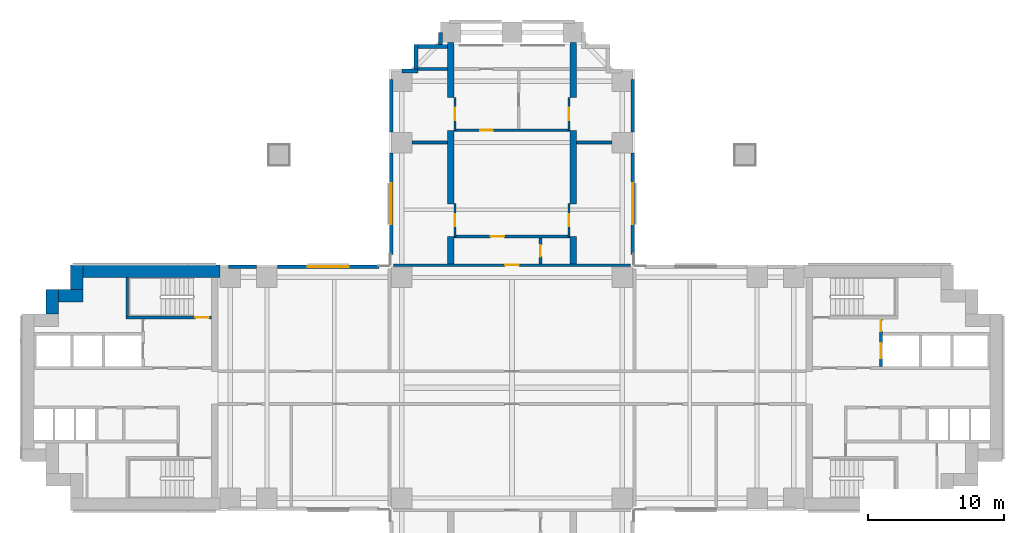
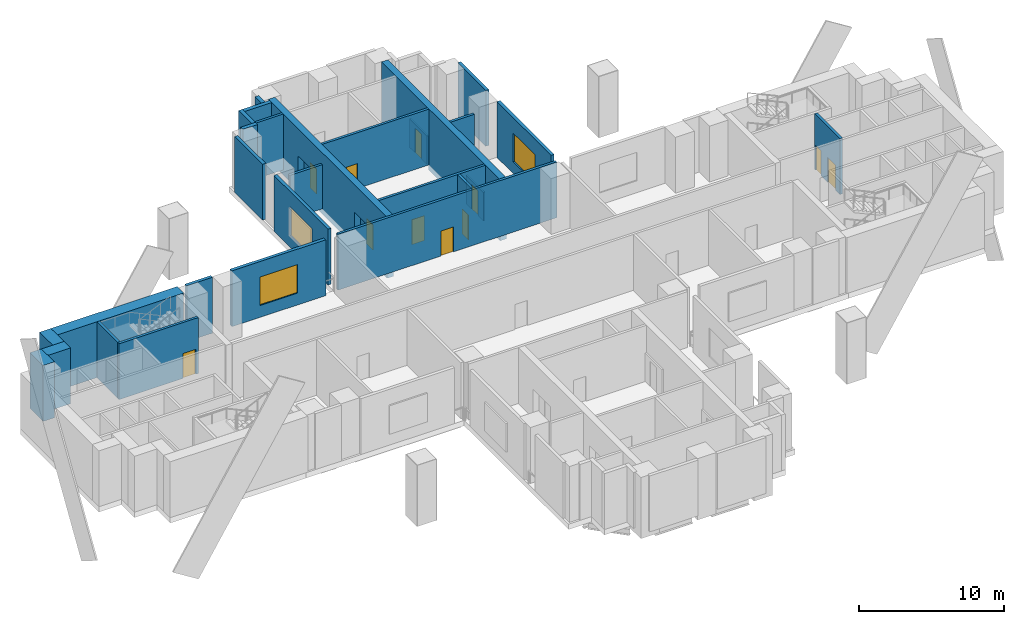
# One storey, part 5 of 10: 30 walls, 11 doors, 3 windows, 14 openings.
"""IFC4 building model written with IfcOpenShell, lengths in metres."""

from ifc_helpers import new_model, si_unit, direction, frame, frame_2d, origin, place, context, subcontext, project, spatial, polyline, rectangle, outline, extrude, material, layer, layer_set, material_profile, profile_set, type_object, element, fill, save


model = new_model("IFC4")

# Units and contexts
model_context = context("Model", 3, precision=1e-05, world=origin(), true_north=direction((0.0, 1.0)))
body_context = subcontext(model_context, "Body", "Model", "MODEL_VIEW")
ifc_project = project(units=[si_unit("LENGTHUNIT", "METRE"), si_unit("AREAUNIT", "SQUARE_METRE"), si_unit("VOLUMEUNIT", "CUBIC_METRE"), si_unit("PLANEANGLEUNIT", "RADIAN"), si_unit("MASSUNIT", "GRAM", prefix="KILO")], contexts=[model_context])

# Site, building, storey
site_placement = place(None, origin())
site = spatial("IfcSite", under=ifc_project, at=site_placement, CompositionType="ELEMENT")
building_placement = place(site_placement, origin())
building = spatial("IfcBuilding", under=site, at=building_placement, Name="Perihelion Cross Residences", CompositionType="ELEMENT")
storey_placement = place(building_placement, frame((0.0, 0.0, 27.0)))
storey = spatial("IfcBuildingStorey", under=building, at=storey_placement, Name="L03", CompositionType="ELEMENT", Elevation=27.0)

# Wall, opening, door
ifc_material_1 = material(Name="Plasterboard partition")
ifc_layer_1 = layer(ifc_material_1, 0.199951171875)
ifc_layer_set_1 = layer_set([ifc_layer_1], Name="Apartment riser wall 200")
wall_type_1 = type_object("IfcWallType", Name="Apartment riser wall 200", PredefinedType="PARTITIONING", material=ifc_layer_set_1)
wall_1_placement = place(storey_placement, frame((-8.699951171875, 9.0, 0.0), z_axis=(0.0, 0.0, 1.0), x_axis=(1.0, 0.0, 0.0)))
wall_1 = element("IfcWall", 1, at=wall_1_placement, inside=storey, type_object=wall_type_1, Name="Partition L03 W005", PredefinedType="PARTITIONING", context=body_context, shape_type="SweptSolid", body=[
    extrude(rectangle(XDim=17.39990234375, YDim=0.199951171875, at=frame_2d((8.699951171875, 0.0))), origin(), (0.0, 0.0, 1.0), 4.699951171875),
])
opening_1_placement = place(wall_1_placement, frame((8.199951171875, 0.0, 0.0)))
opening_1 = element("IfcOpeningElement", 2, at=opening_1_placement, cuts=wall_1, Name="Opening L03.A09", PredefinedType="OPENING", context=body_context, shape_type="SweptSolid", body=[
    extrude(rectangle(XDim=1.0, YDim=2.10009765625, at=frame_2d((0.5, 1.050048828125))), frame((0.0, 0.10986328125, 0.0), z_axis=(0.0, -1.0, 0.0), x_axis=(1.0, 0.0, 0.0)), (0.0, 0.0, 1.0), 0.219970703125),
])
ifc_material_2 = material(Name="Steel door leaf", Category="steel")
door_type_1 = type_object("IfcDoorType", Name="Plant floor door 1000 x 2100", OperationType="SINGLE_SWING_LEFT", PredefinedType="DOOR", material=ifc_material_2)
door_1_placement = place(opening_1_placement, origin())
door_1 = element("IfcDoor", 3, at=door_1_placement, inside=storey, type_object=door_type_1, Name="Door L03.A09", OperationType="SINGLE_SWING_LEFT", OverallHeight=2.10009765625, OverallWidth=1.0, PredefinedType="DOOR", context=body_context, shape_type="SweptSolid", body=[
    extrude(rectangle(XDim=1.0, YDim=2.10009765625, at=frame_2d((0.5, 1.050048828125))), frame((0.0, 0.02490234375, 0.0), z_axis=(0.0, -1.0, 0.0), x_axis=(1.0, 0.0, 0.0)), (0.0, 0.0, 1.0), 0.050048828125),
])
fill(opening_1, door_1)

wall_2_placement = place(storey_placement, frame((2.10009765625, 11.0, 0.0), z_axis=(0.0, 0.0, 1.0), x_axis=(0.0, -1.0, 0.0)))
wall_2 = element("IfcWall", 4, at=wall_2_placement, inside=storey, type_object=wall_type_1, Name="Partition L03 W011", PredefinedType="PARTITIONING", context=body_context, shape_type="SweptSolid", body=[
    extrude(rectangle(XDim=1.89990234375, YDim=0.199951171875, at=frame_2d((0.949951171875, 0.0))), origin(), (0.0, 0.0, 1.0), 4.699951171875),
])
opening_2_placement = place(wall_2_placement, frame((0.52490234375, 0.0, 0.0)))
opening_2 = element("IfcOpeningElement", 5, at=opening_2_placement, cuts=wall_2, Name="Opening L03.A10", PredefinedType="OPENING", context=body_context, shape_type="SweptSolid", body=[
    extrude(rectangle(XDim=0.85009765625, YDim=2.10009765625, at=frame_2d((0.425048828125, 1.050048828125))), frame((0.0, 0.10986328125, 0.0), z_axis=(0.0, -1.0, 0.0), x_axis=(1.0, 0.0, 0.0)), (0.0, 0.0, 1.0), 0.219970703125),
])
ifc_material_3 = material(Name="Timber door leaf", Category="wood")
door_type_2 = type_object("IfcDoorType", Name="Interior bathroom door 850 x 2100", OperationType="SINGLE_SWING_LEFT", PredefinedType="DOOR", material=ifc_material_3)
door_2_placement = place(opening_2_placement, origin())
door_2 = element("IfcDoor", 6, at=door_2_placement, inside=storey, type_object=door_type_2, Name="Door L03.A10", OperationType="SINGLE_SWING_RIGHT", OverallHeight=2.10009765625, OverallWidth=0.85009765625, PredefinedType="DOOR", context=body_context, shape_type="SweptSolid", body=[
    extrude(rectangle(XDim=0.85009765625, YDim=2.10009765625, at=frame_2d((0.425048828125, 1.050048828125))), frame((0.0, 0.02490234375, 0.0), z_axis=(0.0, -1.0, 0.0), x_axis=(1.0, 0.0, 0.0)), (0.0, 0.0, 1.0), 0.050048828125),
])
fill(opening_2, door_2)

wall_3_placement = place(storey_placement, frame((-4.25, 11.10009765625, 0.0), z_axis=(0.0, 0.0, 1.0), x_axis=(1.0, 0.0, 0.0)))
wall_3 = element("IfcWall", 7, at=wall_3_placement, inside=storey, type_object=wall_type_1, Name="Partition L03 W012", PredefinedType="PARTITIONING", context=body_context, shape_type="SweptSolid", body=[
    extrude(rectangle(XDim=8.5, YDim=0.199951171875, at=frame_2d((4.25, 0.0))), origin(), (0.0, 0.0, 1.0), 4.699951171875),
])
opening_3_placement = place(wall_3_placement, frame((2.675048828125, 0.0, 0.0)))
opening_3 = element("IfcOpeningElement", 8, at=opening_3_placement, cuts=wall_3, Name="Opening L03.A11", PredefinedType="OPENING", context=body_context, shape_type="SweptSolid", body=[
    extrude(rectangle(XDim=1.0, YDim=2.10009765625, at=frame_2d((0.5, 1.050048828125))), frame((0.0, 0.10986328125, 0.0), z_axis=(0.0, -1.0, 0.0), x_axis=(1.0, 0.0, 0.0)), (0.0, 0.0, 1.0), 0.219970703125),
])
door_3_placement = place(opening_3_placement, origin())
door_3 = element("IfcDoor", 9, at=door_3_placement, inside=storey, type_object=door_type_1, Name="Door L03.A11", OperationType="SINGLE_SWING_RIGHT", OverallHeight=2.10009765625, OverallWidth=1.0, PredefinedType="DOOR", context=body_context, shape_type="SweptSolid", body=[
    extrude(rectangle(XDim=1.0, YDim=2.10009765625, at=frame_2d((0.5, 1.050048828125))), frame((0.0, 0.02490234375, 0.0), z_axis=(0.0, -1.0, 0.0), x_axis=(1.0, 0.0, 0.0)), (0.0, 0.0, 1.0), 0.050048828125),
])
fill(opening_3, door_3)

wall_4_placement = place(storey_placement, frame((-4.25, 18.89990234375, 0.0), z_axis=(0.0, 0.0, 1.0), x_axis=(1.0, 0.0, 0.0)))
wall_4 = element("IfcWall", 10, at=wall_4_placement, inside=storey, type_object=wall_type_1, Name="Partition L03 W013", PredefinedType="PARTITIONING", context=body_context, shape_type="SweptSolid", body=[
    extrude(rectangle(XDim=8.5, YDim=0.199951171875, at=frame_2d((4.25, 0.0))), origin(), (0.0, 0.0, 1.0), 4.699951171875),
])
opening_4_placement = place(wall_4_placement, frame((1.925048828125, 0.0, 0.0)))
opening_4 = element("IfcOpeningElement", 11, at=opening_4_placement, cuts=wall_4, Name="Opening L03.A12", PredefinedType="OPENING", context=body_context, shape_type="SweptSolid", body=[
    extrude(rectangle(XDim=0.89990234375, YDim=2.10009765625, at=frame_2d((0.449951171875, 1.050048828125))), frame((0.0, 0.10986328125, 0.0), z_axis=(0.0, -1.0, 0.0), x_axis=(1.0, 0.0, 0.0)), (0.0, 0.0, 1.0), 0.219970703125),
])
ifc_material_4 = material(Name="Timber door leaf", Category="wood")
door_type_3 = type_object("IfcDoorType", Name="Interior room door 900 x 2100", OperationType="SINGLE_SWING_LEFT", PredefinedType="DOOR", material=ifc_material_4)
door_4_placement = place(opening_4_placement, origin())
door_4 = element("IfcDoor", 12, at=door_4_placement, inside=storey, type_object=door_type_3, Name="Door L03.A12", OperationType="SINGLE_SWING_LEFT", OverallHeight=2.10009765625, OverallWidth=0.89990234375, PredefinedType="DOOR", context=body_context, shape_type="SweptSolid", body=[
    extrude(rectangle(XDim=0.89990234375, YDim=2.10009765625, at=frame_2d((0.449951171875, 1.050048828125))), frame((0.0, 0.02490234375, 0.0), z_axis=(0.0, -1.0, 0.0), x_axis=(1.0, 0.0, 0.0)), (0.0, 0.0, 1.0), 0.050048828125),
])
fill(opening_4, door_4)

# Walls
for number, where, z_axis, x_axis, name in (
    (13, (4.75, 18.0, 0.0), (0.0, 0.0, 1.0), (1.0, 0.0, 0.0), "Partition L03 W016"),
    (14, (-7.35009765625, 18.0, 0.0), (0.0, 0.0, 1.0), (1.0, 0.0, 0.0), "Partition L03 W018"),
):
    element("IfcWall", number, at=place(storey_placement, frame(where, z_axis=z_axis, x_axis=x_axis)), inside=storey, type_object=wall_type_1, Name=name, PredefinedType="PARTITIONING", context=body_context, shape_type="SweptSolid", body=[
        extrude(rectangle(XDim=2.60009765625, YDim=0.199951171875, at=frame_2d((1.300048828125, 0.0))), origin(), (0.0, 0.0, 1.0), 3.719970703125),
    ])
wall_5_placement = place(storey_placement, frame((-6.89990234375, 23.39990234375, 0.0), z_axis=(0.0, 0.0, 1.0), x_axis=(1.0, 0.0, 0.0)))
element("IfcWall", 15, at=wall_5_placement, inside=storey, type_object=wall_type_1, Name="Partition L03 W019", PredefinedType="PARTITIONING", context=body_context, shape_type="SweptSolid", body=[
    extrude(rectangle(XDim=2.14990234375, YDim=0.199951171875, at=frame_2d((1.074951171875, 0.0))), origin(), (0.0, 0.0, 1.0), 4.699951171875),
])
ifc_material_5 = material(Name="Concrete C30/37, bronze-clad", Category="concrete")
ifc_layer_2 = layer(ifc_material_5, 0.300048828125)
ifc_layer_set_2 = layer_set([ifc_layer_2], Name="Bronze-clad serration wall 300")
wall_type_2 = type_object("IfcWallType", Name="Bronze-clad serration wall 300", PredefinedType="SOLIDWALL", material=ifc_layer_set_2)
wall_6_placement = place(storey_placement, frame((-5.25, 26.080078125, 0.0), z_axis=(0.0, 0.0, 1.0), x_axis=(0.0, -1.0, 0.0)))
element("IfcWall", 16, at=wall_6_placement, inside=storey, type_object=wall_type_2, Name="Wall SR1 L03 north corner north-west 1", PredefinedType="SOLIDWALL", context=body_context, shape_type="SweptSolid", body=[
    extrude(rectangle(XDim=0.880126953125, YDim=0.300048828125, at=frame_2d((0.43994140625, 0.0))), origin(), (0.0, 0.0, 1.0), 4.699951171875),
])
wall_7_placement = place(storey_placement, frame((-4.75, 25.050048828125, 0.0), z_axis=(0.0, 0.0, 1.0), x_axis=(-1.0, 0.0, 0.0)))
element("IfcWall", 17, at=wall_7_placement, inside=storey, type_object=wall_type_2, Name="Wall SR1 L03 north corner north-west 2", PredefinedType="SOLIDWALL", context=body_context, shape_type="SweptSolid", body=[
    extrude(rectangle(XDim=2.14990234375, YDim=0.300048828125, at=frame_2d((1.074951171875, 0.0))), origin(), (0.0, 0.0, 1.0), 4.699951171875),
])
wall_8_placement = place(storey_placement, frame((-7.050048828125, 25.199951171875, 0.0), z_axis=(0.0, 0.0, 1.0), x_axis=(0.0, -1.0, 0.0)))
element("IfcWall", 18, at=wall_8_placement, inside=storey, type_object=wall_type_2, Name="Wall SR1 L03 north corner north-west 3", PredefinedType="SOLIDWALL", context=body_context, shape_type="SweptSolid", body=[
    extrude(rectangle(XDim=1.800048828125, YDim=0.300048828125, at=frame_2d((0.89990234375, 0.0))), origin(), (0.0, 0.0, 1.0), 4.699951171875),
])
wall_9_placement = place(storey_placement, frame((-6.89990234375, 23.25, 0.0), z_axis=(0.0, 0.0, 1.0), x_axis=(-1.0, 0.0, 0.0)))
element("IfcWall", 19, at=wall_9_placement, inside=storey, type_object=wall_type_2, Name="Wall SR1 L03 north corner north-west 4", PredefinedType="SOLIDWALL", context=body_context, shape_type="SweptSolid", body=[
    extrude(rectangle(XDim=1.18017578125, YDim=0.300048828125, at=frame_2d((0.590087890625, 0.0))), origin(), (0.0, 0.0, 1.0), 4.699951171875),
])
ifc_material_6 = material(Name="Concrete C60/75", Category="concrete")
ifc_layer_3 = layer(ifc_material_6, 0.89990234375)
ifc_layer_set_3 = layer_set([ifc_layer_3], Name="Core wall, outer 900")
wall_type_3 = type_object("IfcWallType", Name="Core wall, outer 900", PredefinedType="SHEAR", material=ifc_layer_set_3)
for number, where, z_axis, x_axis, name in (
    (20, (-33.75, 5.39990234375, 0.0), (0.0, 0.0, 1.0), (0.0, 1.0, 0.0), "West core core wall, outer"),
    (21, (-33.300048828125, 6.75, 0.0), (0.0, 0.0, 1.0), (1.0, 0.0, 0.0), "West core core wall, outer"),
    (22, (-31.949951171875, 7.199951171875, 0.0), (0.0, 0.0, 1.0), (0.0, 1.0, 0.0), "West core core wall, outer"),
):
    element("IfcWall", number, at=place(storey_placement, frame(where, z_axis=z_axis, x_axis=x_axis)), inside=storey, type_object=wall_type_3, Name=name, PredefinedType="SHEAR", context=body_context, shape_type="SweptSolid", body=[
        extrude(rectangle(XDim=1.800048828125, YDim=0.89990234375, at=frame_2d((0.89990234375, 0.0))), origin(), (0.0, 0.0, 1.0), 4.699951171875),
    ])
wall_10_placement = place(storey_placement, frame((-31.5, 8.550048828125, 0.0), z_axis=(0.0, 0.0, 1.0), x_axis=(1.0, 0.0, 0.0)))
element("IfcWall", 23, at=wall_10_placement, inside=storey, type_object=wall_type_3, Name="West core core wall, outer", PredefinedType="SHEAR", context=body_context, shape_type="SweptSolid", body=[
    extrude(rectangle(XDim=10.050048828125, YDim=0.89990234375, at=frame_2d((5.02490234375, 0.0))), origin(), (0.0, 0.0, 1.0), 4.699951171875),
])

# Wall, opening, door
ifc_material_7 = material(Name="Plasterboard partition")
ifc_layer_4 = layer(ifc_material_7, 0.1201171875)
ifc_layer_set_4 = layer_set([ifc_layer_4], Name="Infill panel 120")
wall_type_4 = type_object("IfcWallType", Name="Infill panel 120", PredefinedType="PARTITIONING", material=ifc_layer_set_4)
wall_11_placement = place(storey_placement, frame((4.18994140625, 11.10009765625, 0.0), z_axis=(0.0, 0.0, 1.0), x_axis=(0.0, 1.0, 0.0)))
wall_11 = element("IfcWall", 24, at=wall_11_placement, inside=storey, type_object=wall_type_4, Name="Partition L03 WI01", PredefinedType="PARTITIONING", context=body_context, shape_type="SweptSolid", body=[
    extrude(rectangle(XDim=2.39990234375, YDim=0.1201171875, at=frame_2d((1.199951171875, 0.0))), origin(), (0.0, 0.0, 1.0), 2.39990234375),
])
opening_5_placement = place(wall_11_placement, frame((0.75, 0.0, 0.0)))
opening_5 = element("IfcOpeningElement", 25, at=opening_5_placement, cuts=wall_11, Name="Opening L03.A21", PredefinedType="OPENING", context=body_context, shape_type="SweptSolid", body=[
    extrude(rectangle(XDim=0.89990234375, YDim=2.10009765625, at=frame_2d((0.449951171875, 1.050048828125))), frame((0.0, 0.070068359375, 0.0), z_axis=(0.0, -1.0, 0.0), x_axis=(1.0, 0.0, 0.0)), (0.0, 0.0, 1.0), 0.14013671875),
])
door_5_placement = place(opening_5_placement, origin())
door_5 = element("IfcDoor", 26, at=door_5_placement, inside=storey, type_object=door_type_3, Name="Door L03.A21", OperationType="SINGLE_SWING_LEFT", OverallHeight=2.10009765625, OverallWidth=0.89990234375, PredefinedType="DOOR", context=body_context, shape_type="SweptSolid", body=[
    extrude(rectangle(XDim=0.89990234375, YDim=2.10009765625, at=frame_2d((0.449951171875, 1.050048828125))), frame((0.0, 0.02490234375, 0.0), z_axis=(0.0, -1.0, 0.0), x_axis=(1.0, 0.0, 0.0)), (0.0, 0.0, 1.0), 0.050048828125),
])
fill(opening_5, door_5)

wall_12_placement = place(storey_placement, frame((4.18994140625, 18.89990234375, 0.0), z_axis=(0.0, 0.0, 1.0), x_axis=(0.0, 1.0, 0.0)))
wall_12 = element("IfcWall", 27, at=wall_12_placement, inside=storey, type_object=wall_type_4, Name="Partition L03 WI02", PredefinedType="PARTITIONING", context=body_context, shape_type="SweptSolid", body=[
    extrude(rectangle(XDim=2.400146484375, YDim=0.1201171875, at=frame_2d((1.2001953125, 0.0))), origin(), (0.0, 0.0, 1.0), 2.39990234375),
])
opening_6_placement = place(wall_12_placement, frame((0.75, 0.0, 0.0)))
opening_6 = element("IfcOpeningElement", 28, at=opening_6_placement, cuts=wall_12, Name="Opening L03.A22", PredefinedType="OPENING", context=body_context, shape_type="SweptSolid", body=[
    extrude(rectangle(XDim=0.89990234375, YDim=2.10009765625, at=frame_2d((0.449951171875, 1.050048828125))), frame((0.0, 0.070068359375, 0.0), z_axis=(0.0, -1.0, 0.0), x_axis=(1.0, 0.0, 0.0)), (0.0, 0.0, 1.0), 0.14013671875),
])
door_6_placement = place(opening_6_placement, origin())
door_6 = element("IfcDoor", 29, at=door_6_placement, inside=storey, type_object=door_type_3, Name="Door L03.A22", OperationType="SINGLE_SWING_RIGHT", OverallHeight=2.10009765625, OverallWidth=0.89990234375, PredefinedType="DOOR", context=body_context, shape_type="SweptSolid", body=[
    extrude(rectangle(XDim=0.89990234375, YDim=2.10009765625, at=frame_2d((0.449951171875, 1.050048828125))), frame((0.0, 0.02490234375, 0.0), z_axis=(0.0, -1.0, 0.0), x_axis=(1.0, 0.0, 0.0)), (0.0, 0.0, 1.0), 0.050048828125),
])
fill(opening_6, door_6)

wall_13_placement = place(storey_placement, frame((-4.18994140625, 11.10009765625, 0.0), z_axis=(0.0, 0.0, 1.0), x_axis=(0.0, 1.0, 0.0)))
wall_13 = element("IfcWall", 30, at=wall_13_placement, inside=storey, type_object=wall_type_4, Name="Partition L03 WI03", PredefinedType="PARTITIONING", context=body_context, shape_type="SweptSolid", body=[
    extrude(rectangle(XDim=2.39990234375, YDim=0.1201171875, at=frame_2d((1.199951171875, 0.0))), origin(), (0.0, 0.0, 1.0), 2.39990234375),
])
opening_7_placement = place(wall_13_placement, frame((0.75, 0.0, 0.0)))
opening_7 = element("IfcOpeningElement", 31, at=opening_7_placement, cuts=wall_13, Name="Opening L03.A23", PredefinedType="OPENING", context=body_context, shape_type="SweptSolid", body=[
    extrude(rectangle(XDim=0.89990234375, YDim=2.10009765625, at=frame_2d((0.449951171875, 1.050048828125))), frame((0.0, 0.070068359375, 0.0), z_axis=(0.0, -1.0, 0.0), x_axis=(1.0, 0.0, 0.0)), (0.0, 0.0, 1.0), 0.14013671875),
])
door_7_placement = place(opening_7_placement, origin())
door_7 = element("IfcDoor", 32, at=door_7_placement, inside=storey, type_object=door_type_3, Name="Door L03.A23", OperationType="SINGLE_SWING_RIGHT", OverallHeight=2.10009765625, OverallWidth=0.89990234375, PredefinedType="DOOR", context=body_context, shape_type="SweptSolid", body=[
    extrude(rectangle(XDim=0.89990234375, YDim=2.10009765625, at=frame_2d((0.449951171875, 1.050048828125))), frame((0.0, 0.02490234375, 0.0), z_axis=(0.0, -1.0, 0.0), x_axis=(1.0, 0.0, 0.0)), (0.0, 0.0, 1.0), 0.050048828125),
])
fill(opening_7, door_7)

wall_14_placement = place(storey_placement, frame((-4.18994140625, 18.89990234375, 0.0), z_axis=(0.0, 0.0, 1.0), x_axis=(0.0, 1.0, 0.0)))
wall_14 = element("IfcWall", 33, at=wall_14_placement, inside=storey, type_object=wall_type_4, Name="Partition L03 WI04", PredefinedType="PARTITIONING", context=body_context, shape_type="SweptSolid", body=[
    extrude(rectangle(XDim=2.400146484375, YDim=0.1201171875, at=frame_2d((1.2001953125, 0.0))), origin(), (0.0, 0.0, 1.0), 2.39990234375),
])
opening_8_placement = place(wall_14_placement, frame((0.75, 0.0, 0.0)))
opening_8 = element("IfcOpeningElement", 34, at=opening_8_placement, cuts=wall_14, Name="Opening L03.A24", PredefinedType="OPENING", context=body_context, shape_type="SweptSolid", body=[
    extrude(rectangle(XDim=0.89990234375, YDim=2.10009765625, at=frame_2d((0.449951171875, 1.050048828125))), frame((0.0, 0.070068359375, 0.0), z_axis=(0.0, -1.0, 0.0), x_axis=(1.0, 0.0, 0.0)), (0.0, 0.0, 1.0), 0.14013671875),
])
door_8_placement = place(opening_8_placement, origin())
door_8 = element("IfcDoor", 35, at=door_8_placement, inside=storey, type_object=door_type_3, Name="Door L03.A24", OperationType="SINGLE_SWING_LEFT", OverallHeight=2.10009765625, OverallWidth=0.89990234375, PredefinedType="DOOR", context=body_context, shape_type="SweptSolid", body=[
    extrude(rectangle(XDim=0.89990234375, YDim=2.10009765625, at=frame_2d((0.449951171875, 1.050048828125))), frame((0.0, 0.02490234375, 0.0), z_axis=(0.0, -1.0, 0.0), x_axis=(1.0, 0.0, 0.0)), (0.0, 0.0, 1.0), 0.050048828125),
])
fill(opening_8, door_8)

# Wall, opening, window
ifc_material_8 = material(Name="Concrete C30/37, bronze-clad", Category="concrete")
ifc_layer_5 = layer(ifc_material_8, 0.25)
ifc_layer_set_5 = layer_set([ifc_layer_5], Name="Louvre bay wall 250")
wall_type_5 = type_object("IfcWallType", Name="Louvre bay wall 250", PredefinedType="SOLIDWALL", material=ifc_layer_set_5)
wall_15_placement = place(storey_placement, frame((8.875, 9.77001953125, 0.0), z_axis=(0.0, 0.0, 1.0), x_axis=(0.0, 1.0, 0.0)))
wall_15 = element("IfcWall", 36, at=wall_15_placement, inside=storey, type_object=wall_type_5, Name="Wall FW2 L03 north side east bay 1 louvre", PredefinedType="SOLIDWALL", context=body_context, shape_type="SweptSolid", body=[
    extrude(rectangle(XDim=7.4599609375, YDim=0.25, at=frame_2d((3.72998046875, 0.0))), origin(), (0.0, 0.0, 1.0), 4.699951171875),
])
opening_9_placement = place(wall_15_placement, frame((2.22998046875, 0.0, 1.0)))
opening_9 = element("IfcOpeningElement", 37, at=opening_9_placement, cuts=wall_15, Name="Opening L03.W02", PredefinedType="OPENING", context=body_context, shape_type="SweptSolid", body=[
    extrude(rectangle(XDim=3.0, YDim=2.39990234375, at=frame_2d((1.5, 1.199951171875))), frame((0.0, 0.135009765625, 0.0), z_axis=(0.0, -1.0, 0.0), x_axis=(1.0, 0.0, 0.0)), (0.0, 0.0, 1.0), 0.27001953125),
])
ifc_material_9 = material(Name="Bronze anodised aluminium, louvred", Category="aluminium")
window_type = type_object("IfcWindowType", Name="Louvred vent 3000 x 2400", PartitioningType="SINGLE_PANEL", PredefinedType="WINDOW", material=ifc_material_9)
window_1_placement = place(opening_9_placement, origin())
window_1 = element("IfcWindow", 38, at=window_1_placement, inside=storey, type_object=window_type, Name="Window L03.W02 north side east bay 1 vent", OverallHeight=2.39990234375, OverallWidth=3.0, PartitioningType="SINGLE_PANEL", PredefinedType="WINDOW", context=body_context, shape_type="SweptSolid", body=[
    extrude(rectangle(XDim=3.0, YDim=2.39990234375, at=frame_2d((1.5, 1.199951171875))), frame((0.0, 0.030029296875, 0.0), z_axis=(0.0, -1.0, 0.0), x_axis=(1.0, 0.0, 0.0)), (0.0, 0.0, 1.0), 0.06005859375),
])
fill(opening_9, window_1)

# Walls
for number, where, z_axis, x_axis, name in (
    (39, (8.875, 18.77001953125, 0.0), (0.0, 0.0, 1.0), (0.0, 1.0, 0.0), "Wall FW2 L03 north side east bay 2 louvre"),
    (40, (-8.875, 22.6298828125, 0.0), (0.0, 0.0, 1.0), (0.0, -1.0, 0.0), "Wall FW2 L03 north side west bay 1 louvre"),
):
    element("IfcWall", number, at=place(storey_placement, frame(where, z_axis=z_axis, x_axis=x_axis)), inside=storey, type_object=wall_type_5, Name=name, PredefinedType="SOLIDWALL", context=body_context, shape_type="SweptSolid", body=[
        extrude(rectangle(XDim=3.85986328125, YDim=0.25, at=frame_2d((1.929931640625, 0.0))), origin(), (0.0, 0.0, 1.0), 4.699951171875),
    ])

# Wall, opening, window
wall_16_placement = place(storey_placement, frame((-8.875, 17.22998046875, 0.0), z_axis=(0.0, 0.0, 1.0), x_axis=(0.0, -1.0, 0.0)))
wall_16 = element("IfcWall", 41, at=wall_16_placement, inside=storey, type_object=wall_type_5, Name="Wall FW2 L03 north side west bay 2 louvre", PredefinedType="SOLIDWALL", context=body_context, shape_type="SweptSolid", body=[
    extrude(rectangle(XDim=7.4599609375, YDim=0.25, at=frame_2d((3.72998046875, 0.0))), origin(), (0.0, 0.0, 1.0), 4.699951171875),
])
opening_10_placement = place(wall_16_placement, frame((2.22998046875, 0.0, 1.0)))
opening_10 = element("IfcOpeningElement", 42, at=opening_10_placement, cuts=wall_16, Name="Opening L03.W03", PredefinedType="OPENING", context=body_context, shape_type="SweptSolid", body=[
    extrude(rectangle(XDim=3.0, YDim=2.39990234375, at=frame_2d((1.5, 1.199951171875))), frame((0.0, 0.135009765625, 0.0), z_axis=(0.0, -1.0, 0.0), x_axis=(1.0, 0.0, 0.0)), (0.0, 0.0, 1.0), 0.27001953125),
])
window_2_placement = place(opening_10_placement, origin())
window_2 = element("IfcWindow", 43, at=window_2_placement, inside=storey, type_object=window_type, Name="Window L03.W03 north side west bay 2 vent", OverallHeight=2.39990234375, OverallWidth=3.0, PartitioningType="SINGLE_PANEL", PredefinedType="WINDOW", context=body_context, shape_type="SweptSolid", body=[
    extrude(rectangle(XDim=3.0, YDim=2.39990234375, at=frame_2d((1.5, 1.199951171875))), frame((0.0, 0.030029296875, 0.0), z_axis=(0.0, -1.0, 0.0), x_axis=(1.0, 0.0, 0.0)), (0.0, 0.0, 1.0), 0.06005859375),
])
fill(opening_10, window_2)

wall_17_placement = place(storey_placement, frame((-9.77001953125, 8.875, 0.0), z_axis=(0.0, 0.0, 1.0), x_axis=(-1.0, 0.0, 0.0)))
wall_17 = element("IfcWall", 44, at=wall_17_placement, inside=storey, type_object=wall_type_5, Name="Wall FW2 L03 west side north bay 1 louvre", PredefinedType="SOLIDWALL", context=body_context, shape_type="SweptSolid", body=[
    extrude(rectangle(XDim=7.4599609375, YDim=0.25, at=frame_2d((3.72998046875, 0.0))), origin(), (0.0, 0.0, 1.0), 4.699951171875),
])
opening_11_placement = place(wall_17_placement, frame((2.22998046875, 0.0, 1.0)))
opening_11 = element("IfcOpeningElement", 45, at=opening_11_placement, cuts=wall_17, Name="Opening L03.W04", PredefinedType="OPENING", context=body_context, shape_type="SweptSolid", body=[
    extrude(rectangle(XDim=3.0, YDim=2.39990234375, at=frame_2d((1.5, 1.199951171875))), frame((0.0, 0.135009765625, 0.0), z_axis=(0.0, -1.0, 0.0), x_axis=(1.0, 0.0, 0.0)), (0.0, 0.0, 1.0), 0.27001953125),
])
window_3_placement = place(opening_11_placement, origin())
window_3 = element("IfcWindow", 46, at=window_3_placement, inside=storey, type_object=window_type, Name="Window L03.W04 west side north bay 1 vent", OverallHeight=2.39990234375, OverallWidth=3.0, PartitioningType="SINGLE_PANEL", PredefinedType="WINDOW", context=body_context, shape_type="SweptSolid", body=[
    extrude(rectangle(XDim=3.0, YDim=2.39990234375, at=frame_2d((1.5, 1.199951171875))), frame((0.0, 0.030029296875, 0.0), z_axis=(0.0, -1.0, 0.0), x_axis=(1.0, 0.0, 0.0)), (0.0, 0.0, 1.0), 0.06005859375),
])
fill(opening_11, window_3)

# Wall
wall_18_placement = place(storey_placement, frame((-18.77001953125, 8.875, 0.0), z_axis=(0.0, 0.0, 1.0), x_axis=(-1.0, 0.0, 0.0)))
element("IfcWall", 47, at=wall_18_placement, inside=storey, type_object=wall_type_5, Name="Wall FW2 L03 west side north bay 2 louvre", PredefinedType="SOLIDWALL", context=body_context, shape_type="SweptSolid", body=[
    extrude(rectangle(XDim=2.06005859375, YDim=0.25, at=frame_2d((1.030029296875, 0.0))), origin(), (0.0, 0.0, 1.0), 4.699951171875),
])

# Wall, openings, doors
ifc_material_10 = material(Name="Concrete C50/60", Category="concrete")
ifc_layer_6 = layer(ifc_material_10, 0.199951171875)
ifc_layer_set_6 = layer_set([ifc_layer_6], Name="Shaft wall 200")
wall_type_6 = type_object("IfcWallType", Name="Shaft wall 200", PredefinedType="SOLIDWALL", material=ifc_layer_set_6)
wall_19_placement = place(storey_placement, frame((27.10009765625, 1.550048828125, 0.0), z_axis=(0.0, 0.0, 1.0), x_axis=(0.0, 1.0, 0.0)))
wall_19 = element("IfcWall", 48, at=wall_19_placement, inside=storey, type_object=wall_type_6, Name="East core shaft wall", PredefinedType="SOLIDWALL", context=body_context, shape_type="SweptSolid", body=[
    extrude(rectangle(XDim=3.5, YDim=0.199951171875, at=frame_2d((1.75, 0.0))), origin(), (0.0, 0.0, 1.0), 4.699951171875),
])
opening_12_placement = place(wall_19_placement, frame((0.60009765625, 0.0, 0.0)))
opening_12 = element("IfcOpeningElement", 49, at=opening_12_placement, cuts=wall_19, Name="Opening L03.C01", PredefinedType="OPENING", context=body_context, shape_type="SweptSolid", body=[
    extrude(rectangle(XDim=1.10009765625, YDim=2.10009765625, at=frame_2d((0.550048828125, 1.050048828125))), frame((0.0, 0.10986328125, 0.0), z_axis=(0.0, -1.0, 0.0), x_axis=(1.0, 0.0, 0.0)), (0.0, 0.0, 1.0), 0.219970703125),
])
opening_13_placement = place(wall_19_placement, frame((2.60009765625, 0.0, 0.0)))
opening_13 = element("IfcOpeningElement", 50, at=opening_13_placement, cuts=wall_19, Name="Opening L03.C08", PredefinedType="OPENING", context=body_context, shape_type="SweptSolid", body=[
    extrude(rectangle(XDim=0.800048828125, YDim=2.10009765625, at=frame_2d((0.39990234375, 1.050048828125))), frame((0.0, 0.10986328125, 0.0), z_axis=(0.0, -1.0, 0.0), x_axis=(1.0, 0.0, 0.0)), (0.0, 0.0, 1.0), 0.219970703125),
])
ifc_material_11 = material(Name="Stainless steel", Category="steel")
door_type_4 = type_object("IfcDoorType", Name="Landing door, firefighting lift 1100", OperationType="DOUBLE_DOOR_SLIDING", PredefinedType="DOOR", material=ifc_material_11)
door_9_placement = place(opening_12_placement, origin())
door_9 = element("IfcDoor", 51, at=door_9_placement, inside=storey, type_object=door_type_4, Name="Landing door, East core firefighting and service lift", OperationType="DOUBLE_DOOR_SLIDING", OverallHeight=2.10009765625, OverallWidth=1.10009765625, PredefinedType="DOOR", context=body_context, shape_type="SweptSolid", body=[
    extrude(rectangle(XDim=1.10009765625, YDim=2.10009765625, at=frame_2d((0.550048828125, 1.050048828125))), frame((0.0, 0.02490234375, 0.0), z_axis=(0.0, -1.0, 0.0), x_axis=(1.0, 0.0, 0.0)), (0.0, 0.0, 1.0), 0.050048828125),
])
fill(opening_12, door_9)
ifc_material_12 = material(Name="Steel, powder coated", Category="steel")
door_type_5 = type_object("IfcDoorType", Name="Riser door 800", OperationType="SINGLE_SWING_LEFT", PredefinedType="DOOR", material=ifc_material_12)
door_10_placement = place(opening_13_placement, origin())
door_10 = element("IfcDoor", 52, at=door_10_placement, inside=storey, type_object=door_type_5, Name="East core riser door", OperationType="SINGLE_SWING_LEFT", OverallHeight=2.10009765625, OverallWidth=0.800048828125, PredefinedType="DOOR", context=body_context, shape_type="SweptSolid", body=[
    extrude(rectangle(XDim=0.800048828125, YDim=2.10009765625, at=frame_2d((0.39990234375, 1.050048828125))), frame((0.0, 0.02490234375, 0.0), z_axis=(0.0, -1.0, 0.0), x_axis=(1.0, 0.0, 0.0)), (0.0, 0.0, 1.0), 0.050048828125),
])
fill(opening_13, door_10)

# Wall, opening, door
ifc_material_13 = material(Name="Concrete C50/60", Category="concrete")
ifc_layer_7 = layer(ifc_material_13, 0.199951171875)
ifc_layer_set_7 = layer_set([ifc_layer_7], Name="Stair wall 200")
wall_type_7 = type_object("IfcWallType", Name="Stair wall 200", PredefinedType="SOLIDWALL", material=ifc_layer_set_7)
wall_20_placement = place(storey_placement, frame((-28.35009765625, 5.14990234375, 0.0), z_axis=(0.0, 0.0, 1.0), x_axis=(1.0, 0.0, 0.0)))
wall_20 = element("IfcWall", 53, at=wall_20_placement, inside=storey, type_object=wall_type_7, Name="West core stair wall", PredefinedType="SOLIDWALL", context=body_context, shape_type="SweptSolid", body=[
    extrude(rectangle(XDim=6.300048828125, YDim=0.199951171875, at=frame_2d((3.14990234375, 0.0))), origin(), (0.0, 0.0, 1.0), 4.699951171875),
])
opening_14_placement = place(wall_20_placement, frame((5.10009765625, 0.0, 0.0)))
opening_14 = element("IfcOpeningElement", 54, at=opening_14_placement, cuts=wall_20, Name="Opening L03.C13", PredefinedType="OPENING", context=body_context, shape_type="SweptSolid", body=[
    extrude(rectangle(XDim=1.0, YDim=2.10009765625, at=frame_2d((0.5, 1.050048828125))), frame((0.0, 0.10986328125, 0.0), z_axis=(0.0, -1.0, 0.0), x_axis=(1.0, 0.0, 0.0)), (0.0, 0.0, 1.0), 0.219970703125),
])
ifc_material_14 = material(Name="Steel, powder coated", Category="steel")
door_type_6 = type_object("IfcDoorType", Name="Stair door 1000", OperationType="SINGLE_SWING_LEFT", PredefinedType="DOOR", material=ifc_material_14)
door_11_placement = place(opening_14_placement, origin())
door_11 = element("IfcDoor", 55, at=door_11_placement, inside=storey, type_object=door_type_6, Name="West core stair door", OperationType="SINGLE_SWING_LEFT", OverallHeight=2.10009765625, OverallWidth=1.0, PredefinedType="DOOR", context=body_context, shape_type="SweptSolid", body=[
    extrude(rectangle(XDim=1.0, YDim=2.10009765625, at=frame_2d((0.5, 1.050048828125))), frame((0.0, 0.02490234375, 0.0), z_axis=(0.0, -1.0, 0.0), x_axis=(1.0, 0.0, 0.0)), (0.0, 0.0, 1.0), 0.050048828125),
])
fill(opening_14, door_11)

# Walls
wall_21_placement = place(storey_placement, frame((-28.25, 5.25, 0.0), z_axis=(0.0, 0.0, 1.0), x_axis=(0.0, 1.0, 0.0)))
element("IfcWall", 56, at=wall_21_placement, inside=storey, type_object=wall_type_7, Name="West core stair wall", PredefinedType="SOLIDWALL", context=body_context, shape_type="SweptSolid", body=[
    extrude(rectangle(XDim=2.85009765625, YDim=0.199951171875, at=frame_2d((1.425048828125, 0.0))), origin(), (0.0, 0.0, 1.0), 4.699951171875),
])
ifc_material_15 = material(Name="Concrete C60/75", Category="concrete")
ifc_material_profile = material_profile(ifc_material_15, outline(polyline([(0.0, 0.0), (2.10009765625, 0.0), (2.10009765625, 2.85009765625), (4.5, 2.85009765625), (4.5, 0.0), (9.89990234375, 0.0), (9.89990234375, 2.85009765625), (12.300048828125, 2.85009765625), (12.300048828125, 0.0), (16.35009765625, 0.0), (16.35009765625, 5.14990234375), (0.0, 5.14990234375), (0.0, 0.0)])), Name="Tip spine wall")
ifc_profile_set = profile_set([ifc_material_profile], Name="Concrete C60/75")
wall_type_8 = type_object("IfcWallType", Name="Tip spine wall 500 with 2 door openings 16350 long 5150 high concrete C60/75 hand B", PredefinedType="SHEAR", material=ifc_profile_set)
for number, where, z_axis, x_axis, name in (
    (57, (-4.75, 9.0, -0.449951171875), (1.0, 0.0, 0.0), (0.0, 1.0, 0.0), "Shear wall SW17 L03 north west"),
    (58, (4.25, 9.0, -0.449951171875), (1.0, 0.0, 0.0), (0.0, 1.0, 0.0), "Shear wall SW17 L03 north east"),
):
    element("IfcWall", number, at=place(storey_placement, frame(where, z_axis=z_axis, x_axis=x_axis)), inside=storey, type_object=wall_type_8, Name=name, PredefinedType="SHEAR", context=body_context, shape_type="SweptSolid", body=[
        extrude(outline(polyline([(0.0, 0.0), (2.10009765625, 0.0), (2.10009765625, 2.85009765625), (4.5, 2.85009765625), (4.5, 0.0), (9.89990234375, 0.0), (9.89990234375, 2.85009765625), (12.300048828125, 2.85009765625), (12.300048828125, 0.0), (16.35009765625, 0.0), (16.35009765625, 5.14990234375), (0.0, 5.14990234375), (0.0, 0.0)])), origin(), (0.0, 0.0, 1.0), 0.5),
    ])

save(model, "model.ifc")
